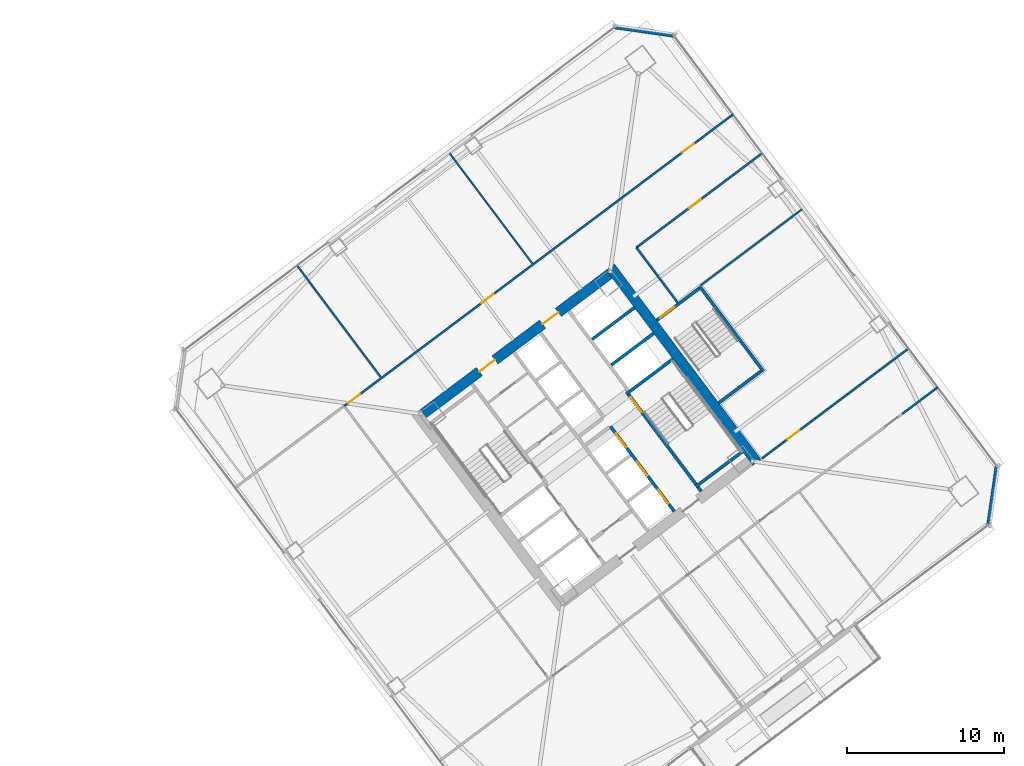
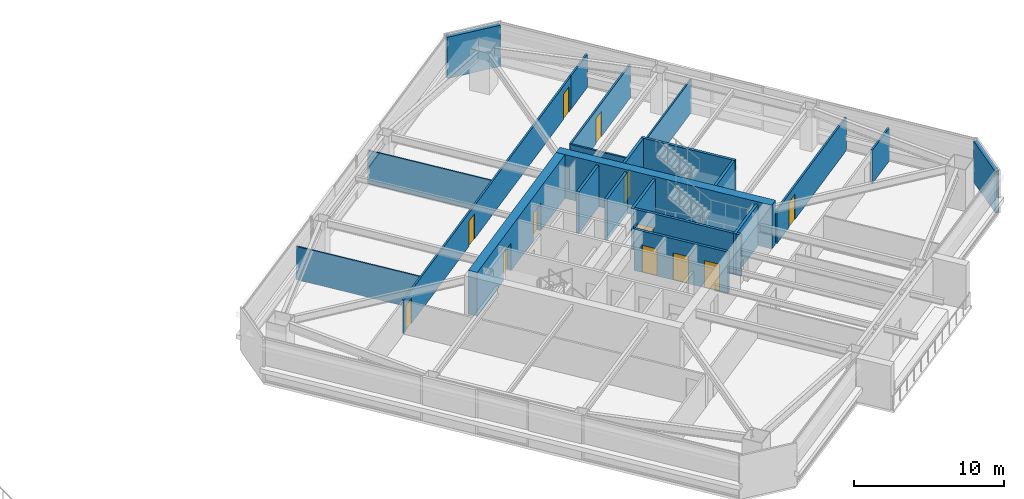
# One storey, part 38 of 46: 22 walls, 12 doors, 12 openings.
"""IFC4 building model written with IfcOpenShell, lengths in metres."""

from ifc_helpers import new_model, si_unit, direction, frame, frame_2d, origin, place, context, subcontext, project, spatial, rectangle, extrude, material, layer, layer_set, type_object, element, fill, save


model = new_model("IFC4")

# Units and contexts
model_context = context("Model", 3, precision=1e-05, world=origin(), true_north=direction((0.0, 1.0)))
body_context = subcontext(model_context, "Body", "Model", "MODEL_VIEW")
ifc_project = project(units=[si_unit("LENGTHUNIT", "METRE"), si_unit("AREAUNIT", "SQUARE_METRE"), si_unit("VOLUMEUNIT", "CUBIC_METRE"), si_unit("PLANEANGLEUNIT", "RADIAN"), si_unit("MASSUNIT", "GRAM", prefix="KILO")], contexts=[model_context])

# Site, building, storey
site_placement = place(None, origin())
site = spatial("IfcSite", under=ifc_project, at=site_placement, CompositionType="ELEMENT")
building_placement = place(site_placement, origin())
building = spatial("IfcBuilding", under=site, at=building_placement, Name="Tashvorn Skyway Center", CompositionType="ELEMENT")
storey_placement = place(building_placement, frame((0.0, 0.0, 99.14990234375)))
storey = spatial("IfcBuildingStorey", under=building, at=storey_placement, Name="L26", CompositionType="ELEMENT", Elevation=99.14990234375)

# Wall
ifc_material_1 = material(Name="Concrete C60/75", Category="concrete")
ifc_layer_1 = layer(ifc_material_1, 0.64990234375)
ifc_layer_set_1 = layer_set([ifc_layer_1], Name="Concrete C60/75")
wall_type_1 = type_object("IfcWallType", Name="WALL-CORE-650", PredefinedType="SHEAR", material=ifc_layer_set_1)
wall_1_placement = place(storey_placement, frame((115.52392578125, 42.89306640625, 0.0), z_axis=(0.0, 0.0, 1.0), x_axis=(0.600005007985, -0.799996243986, 0.0)))
element("IfcWall", 1, at=wall_1_placement, inside=storey, type_object=wall_type_1, Name="Tower 2 L26 East Core Shear Wall", PredefinedType="SHEAR", context=body_context, shape_type="SweptSolid", body=[
    extrude(rectangle(XDim=15.60009765625, YDim=0.64990234375, at=frame_2d((7.800048828125, 0.0))), origin(), (0.0, 0.0, 1.0), 3.550048828125),
])

# Wall, openings, doors
wall_2_placement = place(storey_placement, frame((103.571044921875, 33.52197265625, 0.0), z_axis=(0.0, 0.0, 1.0), x_axis=(0.799998028465, 0.600002628705, 0.0)))
wall_2 = element("IfcWall", 2, at=wall_2_placement, inside=storey, type_object=wall_type_1, Name="Tower 2 L26 North Core Shear Wall", PredefinedType="SHEAR", context=body_context, shape_type="SweptSolid", body=[
    extrude(rectangle(XDim=14.85986328125, YDim=0.64990234375, at=frame_2d((7.429931640625, 0.0))), origin(), (0.0, 0.0, 1.0), 3.550048828125),
])
opening_1_placement = place(wall_2_placement, frame((4.47998046875, 0.0, 0.0)))
opening_1 = element("IfcOpeningElement", 3, at=opening_1_placement, cuts=wall_2, Name="Opening D-FFL-1250", PredefinedType="OPENING", context=body_context, shape_type="SweptSolid", body=[
    extrude(rectangle(XDim=1.25, YDim=2.25, at=frame_2d((0.625, 1.125))), frame((0.0, 0.3349609375, 0.0), z_axis=(0.0, -1.0, 0.0), x_axis=(1.0, 0.0, 0.0)), (0.0, 0.0, 1.0), 0.669921875),
])
opening_2_placement = place(wall_2_placement, frame((9.530029296875, 0.0, 0.0)))
opening_2 = element("IfcOpeningElement", 4, at=opening_2_placement, cuts=wall_2, Name="Opening D-FFL-1250", PredefinedType="OPENING", context=body_context, shape_type="SweptSolid", body=[
    extrude(rectangle(XDim=1.25, YDim=2.25, at=frame_2d((0.625, 1.125))), frame((0.0, 0.3349609375, 0.0), z_axis=(0.0, -1.0, 0.0), x_axis=(1.0, 0.0, 0.0)), (0.0, 0.0, 1.0), 0.669921875),
])
ifc_material_2 = material(Name="Hollow galvanized steel fire door assembly", Category="steel")
door_type_1 = type_object("IfcDoorType", Name="DOOR-FFL-1250", OperationType="NOTDEFINED", PredefinedType="DOOR", material=ifc_material_2)
door_1_placement = place(opening_1_placement, origin())
door_1 = element("IfcDoor", 5, at=door_1_placement, inside=storey, type_object=door_type_1, Name="Tower 2 L26 Core North Service Lobby Door", OperationType="SINGLE_SWING_LEFT", OverallHeight=2.25, OverallWidth=1.25, PredefinedType="DOOR", context=body_context, shape_type="SweptSolid", body=[
    extrude(rectangle(XDim=1.25, YDim=2.25, at=frame_2d((0.625, 1.125))), frame((0.0, 0.02490234375, 0.0), z_axis=(0.0, -1.0, 0.0), x_axis=(1.0, 0.0, 0.0)), (0.0, 0.0, 1.0), 0.050048828125),
])
fill(opening_1, door_1)
door_2_placement = place(opening_2_placement, origin())
door_2 = element("IfcDoor", 6, at=door_2_placement, inside=storey, type_object=door_type_1, Name="Tower 2 L26 Core North Lift Lobby Door", OperationType="SINGLE_SWING_RIGHT", OverallHeight=2.25, OverallWidth=1.25, PredefinedType="DOOR", context=body_context, shape_type="SweptSolid", body=[
    extrude(rectangle(XDim=1.25, YDim=2.25, at=frame_2d((0.625, 1.125))), frame((0.0, 0.02490234375, 0.0), z_axis=(0.0, -1.0, 0.0), x_axis=(1.0, 0.0, 0.0)), (0.0, 0.0, 1.0), 0.050048828125),
])
fill(opening_2, door_2)

# Walls
ifc_material_3 = material(Name="Precast concrete C40/50", Category="concrete")
ifc_layer_2 = layer(ifc_material_3, 0.280029296875)
ifc_layer_set_2 = layer_set([ifc_layer_2], Name="Precast concrete C40/50")
wall_type_2 = type_object("IfcWallType", Name="WALL-EXT-280", PredefinedType="SOLIDWALL", material=ifc_layer_set_2)
for number, where, z_axis, x_axis, name in (
    (7, (115.820068359375, 58.239990234375, 0.0), (0.0, 0.0, 1.0), (0.989948214866, -0.141430307517, 0.0), "Tower 2 L26 NE Precast Chamfer Wall"),
    (8, (140.239990234375, 30.179931640625, 0.0), (0.0, 0.0, 1.0), (-0.141430307517, -0.989948214866, 0.0), "Tower 2 L26 SE Precast Chamfer Wall"),
):
    element("IfcWall", number, at=place(storey_placement, frame(where, z_axis=z_axis, x_axis=x_axis)), inside=storey, type_object=wall_type_2, Name=name, PredefinedType="SOLIDWALL", context=body_context, shape_type="SweptSolid", body=[
        extrude(rectangle(XDim=3.818359375, YDim=0.280029296875, at=frame_2d((1.9091796875, 0.0))), origin(), (0.0, 0.0, 1.0), 3.35009765625),
    ])
ifc_material_4 = material(Name="Gypsum board on cold-formed steel stud framing", Category="steel")
ifc_layer_3 = layer(ifc_material_4, 0.110107421875)
ifc_layer_set_3 = layer_set([ifc_layer_3], Name="Gypsum board on cold-formed steel stud framing")
wall_type_3 = type_object("IfcWallType", Name="WALL-PART-110", PredefinedType="PARTITIONING", material=ifc_layer_set_3)
for number, where, z_axis, x_axis, name in (
    (9, (100.85205078125, 35.864013671875, 0.0), (0.0, 0.0, 1.0), (-0.600013167126, 0.799990124486, 0.0), "Tower 2 L26 North Suite Partition 1"),
    (10, (110.531982421875, 43.1240234375, 0.0), (0.0, 0.0, 1.0), (-0.600013167126, 0.799990124486, 0.0), "Tower 2 L26 North Suite Partition 2"),
):
    element("IfcWall", number, at=place(storey_placement, frame(where, z_axis=z_axis, x_axis=x_axis)), inside=storey, type_object=wall_type_3, Name=name, PredefinedType="PARTITIONING", context=body_context, shape_type="SweptSolid", body=[
        extrude(rectangle(XDim=8.89990234375, YDim=0.110107421875, at=frame_2d((4.449951171875, 0.0))), origin(), (0.0, 0.0, 1.0), 2.703125),
    ])
wall_3_placement = place(storey_placement, frame((127.864013671875, 46.64794921875, 0.0), z_axis=(0.0, 0.0, 1.0), x_axis=(-0.800007145523, -0.599990472518, 0.0)))
element("IfcWall", 11, at=wall_3_placement, inside=storey, type_object=wall_type_3, Name="Tower 2 L26 East Suite Partition 1", PredefinedType="PARTITIONING", context=body_context, shape_type="SweptSolid", body=[
    extrude(rectangle(XDim=8.199951171875, YDim=0.110107421875, at=frame_2d((4.10009765625, 0.0))), origin(), (0.0, 0.0, 1.0), 2.703125),
])
ifc_layer_4 = layer(ifc_material_4, 0.135009765625)
ifc_layer_set_4 = layer_set([ifc_layer_4], Name="Gypsum board on cold-formed steel stud framing")
wall_type_4 = type_object("IfcWallType", Name="WALL-PART-135", PredefinedType="PARTITIONING", material=ifc_layer_set_4)
wall_4_placement = place(storey_placement, frame((119.823974609375, 40.617919921875, 0.0), z_axis=(0.0, 0.0, 1.0), x_axis=(-0.599982243973, 0.800013316712, 0.0)))
element("IfcWall", 12, at=wall_4_placement, inside=storey, type_object=wall_type_4, Name="Tower 2 L26 Stair 3 Access Corridor Wall", PredefinedType="PARTITIONING", context=body_context, shape_type="SweptSolid", body=[
    extrude(rectangle(XDim=4.39990234375, YDim=0.135009765625, at=frame_2d((2.199951171875, 0.0))), origin(), (0.0, 0.0, 1.0), 2.703125),
])

# Wall, openings, doors
wall_5_placement = place(storey_placement, frame((98.51611328125, 34.011962890625, 0.0), z_axis=(0.0, 0.0, 1.0), x_axis=(0.8, 0.6, 0.0)))
wall_5 = element("IfcWall", 13, at=wall_5_placement, inside=storey, type_object=wall_type_4, Name="Tower 2 L26 North Suite Wall", PredefinedType="PARTITIONING", context=body_context, shape_type="SweptSolid", body=[
    extrude(rectangle(XDim=28.22998046875, YDim=0.135009765625, at=frame_2d((14.114990234375, 0.0))), origin(), (0.0, 0.0, 1.0), 2.703125),
])
opening_3_placement = place(wall_5_placement, frame((0.300048828125, 0.0, 0.0)))
opening_3 = element("IfcOpeningElement", 14, at=opening_3_placement, cuts=wall_5, Name="Opening D-INT-950", PredefinedType="OPENING", context=body_context, shape_type="SweptSolid", body=[
    extrude(rectangle(XDim=0.949951171875, YDim=2.050048828125, at=frame_2d((0.47509765625, 1.02490234375))), frame((0.0, 0.077392578125, 0.0), z_axis=(0.0, -1.0, 0.0), x_axis=(1.0, 0.0, 0.0)), (0.0, 0.0, 1.0), 0.155029296875),
])
opening_4_placement = place(wall_5_placement, frame((10.96240234375, 0.0, 0.0)))
opening_4 = element("IfcOpeningElement", 15, at=opening_4_placement, cuts=wall_5, Name="Opening D-INT-950", PredefinedType="OPENING", context=body_context, shape_type="SweptSolid", body=[
    extrude(rectangle(XDim=0.949951171875, YDim=2.050048828125, at=frame_2d((0.47509765625, 1.02490234375))), frame((0.0, 0.077392578125, 0.0), z_axis=(0.0, -1.0, 0.0), x_axis=(1.0, 0.0, 0.0)), (0.0, 0.0, 1.0), 0.155029296875),
])
opening_5_placement = place(wall_5_placement, frame((26.97998046875, 0.0, 0.0)))
opening_5 = element("IfcOpeningElement", 16, at=opening_5_placement, cuts=wall_5, Name="Opening D-INT-950", PredefinedType="OPENING", context=body_context, shape_type="SweptSolid", body=[
    extrude(rectangle(XDim=0.949951171875, YDim=2.050048828125, at=frame_2d((0.47509765625, 1.02490234375))), frame((0.0, 0.077392578125, 0.0), z_axis=(0.0, -1.0, 0.0), x_axis=(1.0, 0.0, 0.0)), (0.0, 0.0, 1.0), 0.155029296875),
])
ifc_material_5 = material(Name="Solid-core architectural oak veneer door")
door_type_2 = type_object("IfcDoorType", Name="DOOR-INT-950", OperationType="NOTDEFINED", PredefinedType="DOOR", material=ifc_material_5)
door_3_placement = place(opening_3_placement, origin())
door_3 = element("IfcDoor", 17, at=door_3_placement, inside=storey, type_object=door_type_2, Name="Tower 2 L26 Executive Suite Door", OperationType="SINGLE_SWING_RIGHT", OverallHeight=2.050048828125, OverallWidth=0.949951171875, PredefinedType="DOOR", context=body_context, shape_type="SweptSolid", body=[
    extrude(rectangle(XDim=0.949951171875, YDim=2.050048828125, at=frame_2d((0.47509765625, 1.02490234375))), frame((0.0, 0.02490234375, 0.0), z_axis=(0.0, -1.0, 0.0), x_axis=(1.0, 0.0, 0.0)), (0.0, 0.0, 1.0), 0.050048828125),
])
fill(opening_3, door_3)
door_4_placement = place(opening_4_placement, origin())
door_4 = element("IfcDoor", 18, at=door_4_placement, inside=storey, type_object=door_type_2, Name="Tower 2 L26 Executive Suite Door", OperationType="SINGLE_SWING_LEFT", OverallHeight=2.050048828125, OverallWidth=0.949951171875, PredefinedType="DOOR", context=body_context, shape_type="SweptSolid", body=[
    extrude(rectangle(XDim=0.949951171875, YDim=2.050048828125, at=frame_2d((0.47509765625, 1.02490234375))), frame((0.0, 0.02490234375, 0.0), z_axis=(0.0, -1.0, 0.0), x_axis=(1.0, 0.0, 0.0)), (0.0, 0.0, 1.0), 0.050048828125),
])
fill(opening_4, door_4)
door_5_placement = place(opening_5_placement, origin())
door_5 = element("IfcDoor", 19, at=door_5_placement, inside=storey, type_object=door_type_2, Name="Tower 2 L26 Design Studio Door", OperationType="SINGLE_SWING_RIGHT", OverallHeight=2.050048828125, OverallWidth=0.949951171875, PredefinedType="DOOR", context=body_context, shape_type="SweptSolid", body=[
    extrude(rectangle(XDim=0.949951171875, YDim=2.050048828125, at=frame_2d((0.47509765625, 1.02490234375))), frame((0.0, 0.02490234375, 0.0), z_axis=(0.0, -1.0, 0.0), x_axis=(1.0, 0.0, 0.0)), (0.0, 0.0, 1.0), 0.050048828125),
])
fill(opening_5, door_5)

# Walls
wall_6_placement = place(storey_placement, frame((121.10009765625, 50.949951171875, 0.0), z_axis=(0.0, 0.0, 1.0), x_axis=(0.799989647378, 0.600013803248, 0.0)))
element("IfcWall", 20, at=wall_6_placement, inside=storey, type_object=wall_type_4, Name="Tower 2 L26 North-East Suite South Wall", PredefinedType="PARTITIONING", context=body_context, shape_type="SweptSolid", body=[
    extrude(rectangle(XDim=2.829833984375, YDim=0.135009765625, at=frame_2d((1.4150390625, 0.0))), origin(), (0.0, 0.0, 1.0), 2.703125),
])
wall_7_placement = place(storey_placement, frame((134.179931640625, 33.510009765625, 0.0), z_axis=(0.0, 0.0, 1.0), x_axis=(0.8000207031, 0.599972394874, 0.0)))
element("IfcWall", 21, at=wall_7_placement, inside=storey, type_object=wall_type_4, Name="Tower 2 L26 South-East Suite North Wall", PredefinedType="PARTITIONING", context=body_context, shape_type="SweptSolid", body=[
    extrude(rectangle(XDim=2.830078125, YDim=0.135009765625, at=frame_2d((1.4150390625, 0.0))), origin(), (0.0, 0.0, 1.0), 2.703125),
])

# Wall, opening, door
wall_8_placement = place(storey_placement, frame((125.22412109375, 50.16796875, 0.0), z_axis=(0.0, 0.0, 1.0), x_axis=(-0.8, -0.6, 0.0)))
wall_8 = element("IfcWall", 22, at=wall_8_placement, inside=storey, type_object=wall_type_4, Name="Tower 2 L26 East Suite North Wall", PredefinedType="PARTITIONING", context=body_context, shape_type="SweptSolid", body=[
    extrude(rectangle(XDim=10.050048828125, YDim=0.135009765625, at=frame_2d((5.02490234375, 0.0))), origin(), (0.0, 0.0, 1.0), 2.703125),
])
opening_6_placement = place(wall_8_placement, frame((4.89990234375, 0.0, 0.0)))
opening_6 = element("IfcOpeningElement", 23, at=opening_6_placement, cuts=wall_8, Name="Opening D-INT-950", PredefinedType="OPENING", context=body_context, shape_type="SweptSolid", body=[
    extrude(rectangle(XDim=0.949951171875, YDim=2.050048828125, at=frame_2d((0.47509765625, 1.02490234375))), frame((0.0, 0.077392578125, 0.0), z_axis=(0.0, -1.0, 0.0), x_axis=(1.0, 0.0, 0.0)), (0.0, 0.0, 1.0), 0.155029296875),
])
door_6_placement = place(opening_6_placement, origin())
door_6 = element("IfcDoor", 24, at=door_6_placement, inside=storey, type_object=door_type_2, Name="Tower 2 L26 Executive Suite Door", OperationType="SINGLE_SWING_LEFT", OverallHeight=2.050048828125, OverallWidth=0.949951171875, PredefinedType="DOOR", context=body_context, shape_type="SweptSolid", body=[
    extrude(rectangle(XDim=0.949951171875, YDim=2.050048828125, at=frame_2d((0.47509765625, 1.02490234375))), frame((0.0, 0.02490234375, 0.0), z_axis=(0.0, -1.0, 0.0), x_axis=(1.0, 0.0, 0.0)), (0.0, 0.0, 1.0), 0.050048828125),
])
fill(opening_6, door_6)

wall_9_placement = place(storey_placement, frame((125.2080078125, 30.656005859375, 0.0), z_axis=(0.0, 0.0, 1.0), x_axis=(0.8, 0.6, 0.0)))
wall_9 = element("IfcWall", 25, at=wall_9_placement, inside=storey, type_object=wall_type_4, Name="Tower 2 L26 East Suite South Wall", PredefinedType="PARTITIONING", context=body_context, shape_type="SweptSolid", body=[
    extrude(rectangle(XDim=11.719970703125, YDim=0.135009765625, at=frame_2d((5.85986328125, 0.0))), origin(), (0.0, 0.0, 1.0), 2.703125),
])
opening_7_placement = place(wall_9_placement, frame((2.044921875, 0.0, 0.0)))
opening_7 = element("IfcOpeningElement", 26, at=opening_7_placement, cuts=wall_9, Name="Opening D-INT-950", PredefinedType="OPENING", context=body_context, shape_type="SweptSolid", body=[
    extrude(rectangle(XDim=0.949951171875, YDim=2.050048828125, at=frame_2d((0.47509765625, 1.02490234375))), frame((0.0, 0.077392578125, 0.0), z_axis=(0.0, -1.0, 0.0), x_axis=(1.0, 0.0, 0.0)), (0.0, 0.0, 1.0), 0.155029296875),
])
door_7_placement = place(opening_7_placement, origin())
door_7 = element("IfcDoor", 27, at=door_7_placement, inside=storey, type_object=door_type_2, Name="Tower 2 L26 Public Restroom Door", OperationType="SINGLE_SWING_RIGHT", OverallHeight=2.050048828125, OverallWidth=0.949951171875, PredefinedType="DOOR", context=body_context, shape_type="SweptSolid", body=[
    extrude(rectangle(XDim=0.949951171875, YDim=2.050048828125, at=frame_2d((0.47509765625, 1.02490234375))), frame((0.0, 0.02490234375, 0.0), z_axis=(0.0, -1.0, 0.0), x_axis=(1.0, 0.0, 0.0)), (0.0, 0.0, 1.0), 0.050048828125),
])
fill(opening_7, door_7)

# Walls
ifc_material_6 = material(Name="Concrete C40/50", Category="concrete")
ifc_layer_5 = layer(ifc_material_6, 0.199951171875)
ifc_layer_set_5 = layer_set([ifc_layer_5], Name="Concrete C40/50")
wall_type_5 = type_object("IfcWallType", Name="WALL-SHAFT-200", PredefinedType="SOLIDWALL", material=ifc_layer_set_5)
for number, where, z_axis, x_axis, name in (
    (28, (115.590087890625, 36.6298828125, 0.0), (0.0, 0.0, 1.0), (0.799973995579, 0.600034670996, 0.0), "Tower 2 L26 High-Rise Shaft Divider"),
    (29, (114.360107421875, 38.27001953125, 0.0), (0.0, 0.0, 1.0), (0.799973995579, 0.600034670996, 0.0), "Tower 2 L26 High-Rise Shaft Divider"),
):
    element("IfcWall", number, at=place(storey_placement, frame(where, z_axis=z_axis, x_axis=x_axis)), inside=storey, type_object=wall_type_5, Name=name, PredefinedType="SOLIDWALL", context=body_context, shape_type="SweptSolid", body=[
        extrude(rectangle(XDim=3.3798828125, YDim=0.199951171875, at=frame_2d((1.68994140625, 0.0))), origin(), (0.0, 0.0, 1.0), 3.35009765625),
    ])

# Wall, openings, doors
wall_10_placement = place(storey_placement, frame((119.610107421875, 27.27001953125, 0.0), z_axis=(0.0, 0.0, 1.0), x_axis=(-0.600011488909, 0.79999138319, 0.0)))
wall_10 = element("IfcWall", 30, at=wall_10_placement, inside=storey, type_object=wall_type_5, Name="Tower 2 L26 Low-Rise Core Wall", PredefinedType="SOLIDWALL", context=body_context, shape_type="SweptSolid", body=[
    extrude(rectangle(XDim=6.800048828125, YDim=0.199951171875, at=frame_2d((3.39990234375, 0.0))), origin(), (0.0, 0.0, 1.0), 3.35009765625),
])
opening_8_placement = place(wall_10_placement, frame((0.625, 0.0, 0.0)))
opening_8 = element("IfcOpeningElement", 31, at=opening_8_placement, cuts=wall_10, Name="Opening LD-LR-T2-1-L26", PredefinedType="OPENING", context=body_context, shape_type="SweptSolid", body=[
    extrude(rectangle(XDim=1.10009765625, YDim=2.199951171875, at=frame_2d((0.550048828125, 1.10009765625))), frame((0.0, 0.10986328125, 0.0), z_axis=(0.0, -1.0, 0.0), x_axis=(1.0, 0.0, 0.0)), (0.0, 0.0, 1.0), 0.219970703125),
])
opening_9_placement = place(wall_10_placement, frame((2.875, 0.0, 0.0)))
opening_9 = element("IfcOpeningElement", 32, at=opening_9_placement, cuts=wall_10, Name="Opening LD-LR-T2-2-L26", PredefinedType="OPENING", context=body_context, shape_type="SweptSolid", body=[
    extrude(rectangle(XDim=1.10009765625, YDim=2.199951171875, at=frame_2d((0.550048828125, 1.10009765625))), frame((0.0, 0.10986328125, 0.0), z_axis=(0.0, -1.0, 0.0), x_axis=(1.0, 0.0, 0.0)), (0.0, 0.0, 1.0), 0.219970703125),
])
opening_10_placement = place(wall_10_placement, frame((5.125, 0.0, 0.0)))
opening_10 = element("IfcOpeningElement", 33, at=opening_10_placement, cuts=wall_10, Name="Opening LD-LR-T2-3-L26", PredefinedType="OPENING", context=body_context, shape_type="SweptSolid", body=[
    extrude(rectangle(XDim=1.10009765625, YDim=2.199951171875, at=frame_2d((0.550048828125, 1.10009765625))), frame((0.0, 0.10986328125, 0.0), z_axis=(0.0, -1.0, 0.0), x_axis=(1.0, 0.0, 0.0)), (0.0, 0.0, 1.0), 0.219970703125),
])
ifc_material_7 = material(Name="Stainless steel landing door", Category="steel")
door_type_3 = type_object("IfcDoorType", Name="DOOR-LIFT-1100", OperationType="SLIDING_TO_LEFT", PredefinedType="DOOR", material=ifc_material_7)
door_8_placement = place(opening_8_placement, origin())
door_8 = element("IfcDoor", 34, at=door_8_placement, inside=storey, type_object=door_type_3, Name="Lift LR-T2-1 L26 Landing Door", OperationType="SLIDING_TO_LEFT", OverallHeight=2.199951171875, OverallWidth=1.10009765625, PredefinedType="DOOR", context=body_context, shape_type="SweptSolid", body=[
    extrude(rectangle(XDim=1.10009765625, YDim=2.199951171875, at=frame_2d((0.550048828125, 1.10009765625))), frame((0.0, 0.02490234375, 0.0), z_axis=(0.0, -1.0, 0.0), x_axis=(1.0, 0.0, 0.0)), (0.0, 0.0, 1.0), 0.050048828125),
])
fill(opening_8, door_8)
door_9_placement = place(opening_9_placement, origin())
door_9 = element("IfcDoor", 35, at=door_9_placement, inside=storey, type_object=door_type_3, Name="Lift LR-T2-2 L26 Landing Door", OperationType="SLIDING_TO_LEFT", OverallHeight=2.199951171875, OverallWidth=1.10009765625, PredefinedType="DOOR", context=body_context, shape_type="SweptSolid", body=[
    extrude(rectangle(XDim=1.10009765625, YDim=2.199951171875, at=frame_2d((0.550048828125, 1.10009765625))), frame((0.0, 0.02490234375, 0.0), z_axis=(0.0, -1.0, 0.0), x_axis=(1.0, 0.0, 0.0)), (0.0, 0.0, 1.0), 0.050048828125),
])
fill(opening_9, door_9)
door_10_placement = place(opening_10_placement, origin())
door_10 = element("IfcDoor", 36, at=door_10_placement, inside=storey, type_object=door_type_3, Name="Lift LR-T2-3 L26 Landing Door", OperationType="SLIDING_TO_LEFT", OverallHeight=2.199951171875, OverallWidth=1.10009765625, PredefinedType="DOOR", context=body_context, shape_type="SweptSolid", body=[
    extrude(rectangle(XDim=1.10009765625, YDim=2.199951171875, at=frame_2d((0.550048828125, 1.10009765625))), frame((0.0, 0.02490234375, 0.0), z_axis=(0.0, -1.0, 0.0), x_axis=(1.0, 0.0, 0.0)), (0.0, 0.0, 1.0), 0.050048828125),
])
fill(opening_10, door_10)

# Wall, opening, door
ifc_layer_6 = layer(ifc_material_6, 0.199951171875)
ifc_layer_set_6 = layer_set([ifc_layer_6], Name="Concrete C40/50")
wall_type_6 = type_object("IfcWallType", Name="WALL-STSHF-200", PredefinedType="SHEAR", material=ifc_layer_set_6)
wall_11_placement = place(storey_placement, frame((116.56005859375, 34.919921875, 0.0), z_axis=(0.0, 0.0, 1.0), x_axis=(0.600009827119, -0.799992629566, 0.0)))
wall_11 = element("IfcWall", 37, at=wall_11_placement, inside=storey, type_object=wall_type_6, Name="Tower 2 L26 Stair 2 Enclosure Wall", PredefinedType="SHEAR", context=body_context, shape_type="SweptSolid", body=[
    extrude(rectangle(XDim=7.949951171875, YDim=0.199951171875, at=frame_2d((3.97509765625, 0.0))), origin(), (0.0, 0.0, 1.0), 3.35009765625),
])
opening_11_placement = place(wall_11_placement, frame((0.449951171875, 0.0, 0.0)))
opening_11 = element("IfcOpeningElement", 38, at=opening_11_placement, cuts=wall_11, Name="Opening D-ST-1150", PredefinedType="OPENING", context=body_context, shape_type="SweptSolid", body=[
    extrude(rectangle(XDim=1.14990234375, YDim=2.199951171875, at=frame_2d((0.574951171875, 1.10009765625))), frame((0.0, 0.10986328125, 0.0), z_axis=(0.0, -1.0, 0.0), x_axis=(1.0, 0.0, 0.0)), (0.0, 0.0, 1.0), 0.219970703125),
])
door_type_4 = type_object("IfcDoorType", Name="DOOR-STAIR-1150", OperationType="NOTDEFINED", PredefinedType="DOOR", material=ifc_material_2)
door_11_placement = place(opening_11_placement, origin())
door_11 = element("IfcDoor", 39, at=door_11_placement, inside=storey, type_object=door_type_4, Name="Tower 2 L26 Exit Stair 2 Door", OperationType="SINGLE_SWING_RIGHT", OverallHeight=2.199951171875, OverallWidth=1.14990234375, PredefinedType="DOOR", context=body_context, shape_type="SweptSolid", body=[
    extrude(rectangle(XDim=1.14990234375, YDim=2.199951171875, at=frame_2d((0.574951171875, 1.10009765625))), frame((0.0, 0.02490234375, 0.0), z_axis=(0.0, -1.0, 0.0), x_axis=(1.0, 0.0, 0.0)), (0.0, 0.0, 1.0), 0.050048828125),
])
fill(opening_11, door_11)

# Walls
for number, where, z_axis, x_axis, name in (
    (40, (116.5400390625, 34.780029296875, 0.0), (0.0, 0.0, 1.0), (0.799984290658, 0.600020945218, 0.0), "Tower 2 L26 Stair 2 North Wall"),
    (41, (120.97998046875, 28.860107421875, 0.0), (0.0, 0.0, 1.0), (0.800039270442, 0.59994763584, 0.0), "Tower 2 L26 Stair 2 South Wall"),
):
    element("IfcWall", number, at=place(storey_placement, frame(where, z_axis=z_axis, x_axis=x_axis)), inside=storey, type_object=wall_type_6, Name=name, PredefinedType="SHEAR", context=body_context, shape_type="SweptSolid", body=[
        extrude(rectangle(XDim=3.72998046875, YDim=0.199951171875, at=frame_2d((1.864990234375, 0.0))), origin(), (0.0, 0.0, 1.0), 3.35009765625),
    ])
wall_12_placement = place(storey_placement, frame((125.303955078125, 36.22802734375, 0.0), z_axis=(0.0, 0.0, 1.0), x_axis=(-0.59998851072, 0.800008616831, 0.0)))
element("IfcWall", 42, at=wall_12_placement, inside=storey, type_object=wall_type_6, Name="Tower 2 L26 Stair 3 Outer Wall", PredefinedType="SHEAR", context=body_context, shape_type="SweptSolid", body=[
    extrude(rectangle(XDim=6.7998046875, YDim=0.199951171875, at=frame_2d((3.39990234375, 0.0))), origin(), (0.0, 0.0, 1.0), 3.35009765625),
])

# Wall, opening, door
wall_13_placement = place(storey_placement, frame((121.2041015625, 41.528076171875, 0.0), z_axis=(0.0, 0.0, 1.0), x_axis=(-0.800017232136, -0.599977023131, 0.0)))
wall_13 = element("IfcWall", 43, at=wall_13_placement, inside=storey, type_object=wall_type_6, Name="Tower 2 L26 Stair 3 Enclosure Wall", PredefinedType="SHEAR", context=body_context, shape_type="SweptSolid", body=[
    extrude(rectangle(XDim=3.400146484375, YDim=0.199951171875, at=frame_2d((1.7001953125, 0.0))), origin(), (0.0, 0.0, 1.0), 3.35009765625),
])
opening_12_placement = place(wall_13_placement, frame((1.97509765625, 0.0, 0.0)))
opening_12 = element("IfcOpeningElement", 44, at=opening_12_placement, cuts=wall_13, Name="Opening D-ST-1150", PredefinedType="OPENING", context=body_context, shape_type="SweptSolid", body=[
    extrude(rectangle(XDim=1.14990234375, YDim=2.199951171875, at=frame_2d((0.574951171875, 1.10009765625))), frame((0.0, 0.10986328125, 0.0), z_axis=(0.0, -1.0, 0.0), x_axis=(1.0, 0.0, 0.0)), (0.0, 0.0, 1.0), 0.219970703125),
])
door_12_placement = place(opening_12_placement, origin())
door_12 = element("IfcDoor", 45, at=door_12_placement, inside=storey, type_object=door_type_4, Name="Tower 2 L26 Exit Stair 3 Door", OperationType="SINGLE_SWING_RIGHT", OverallHeight=2.199951171875, OverallWidth=1.14990234375, PredefinedType="DOOR", context=body_context, shape_type="SweptSolid", body=[
    extrude(rectangle(XDim=1.14990234375, YDim=2.199951171875, at=frame_2d((0.574951171875, 1.10009765625))), frame((0.0, 0.02490234375, 0.0), z_axis=(0.0, -1.0, 0.0), x_axis=(1.0, 0.0, 0.0)), (0.0, 0.0, 1.0), 0.050048828125),
])
fill(opening_12, door_12)

# Wall
wall_14_placement = place(storey_placement, frame((122.444091796875, 34.2080078125, 0.0), z_axis=(0.0, 0.0, 1.0), x_axis=(0.79999138319, 0.600011488909, 0.0)))
element("IfcWall", 46, at=wall_14_placement, inside=storey, type_object=wall_type_6, Name="Tower 2 L26 Stair 3 South Wall", PredefinedType="SHEAR", context=body_context, shape_type="SweptSolid", body=[
    extrude(rectangle(XDim=3.39990234375, YDim=0.199951171875, at=frame_2d((1.699951171875, 0.0))), origin(), (0.0, 0.0, 1.0), 3.35009765625),
])

save(model, "model.ifc")
